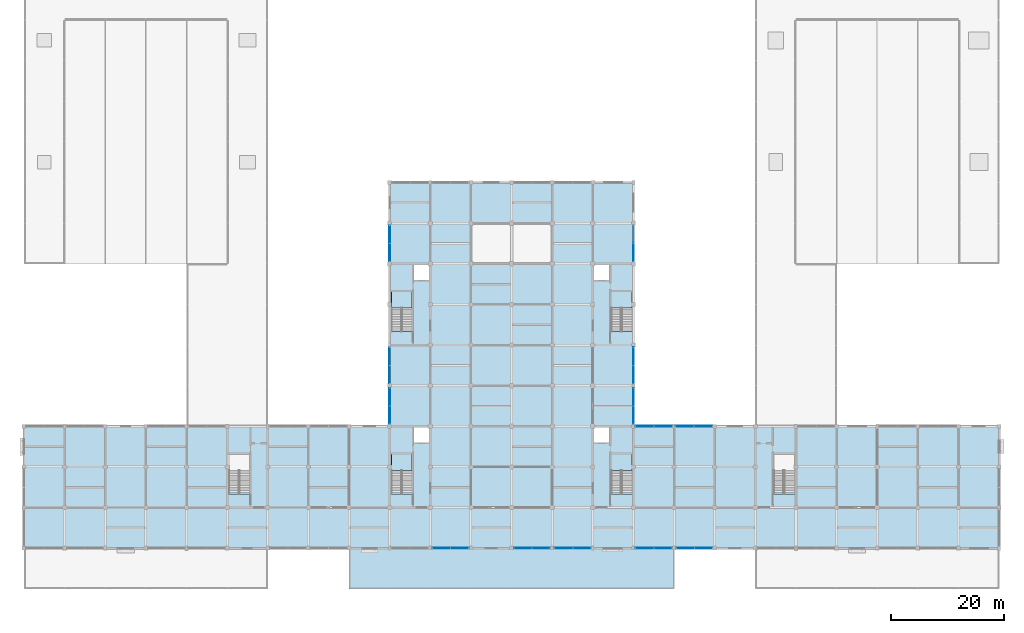
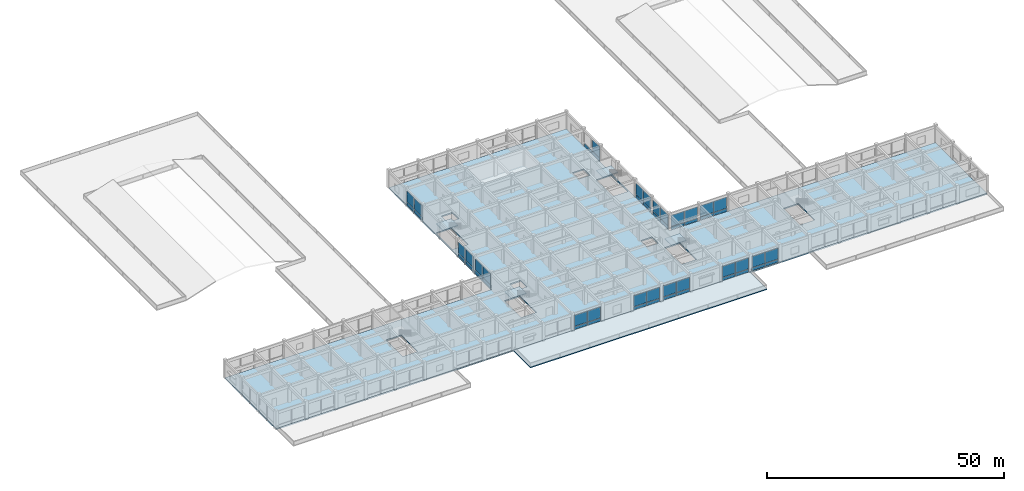
# One storey, part 15 of 30: 51 plates, 6 slabs, 17 elements without a shape of their own.
"""IFC4 building model written with IfcOpenShell, lengths in metres."""

import ifcopenshell
import ifcopenshell.guid

model = None  # the IFC model being written
_history = None  # IfcOwnerHistory: only IFC2X3 demands one
_inside = {}  # id of a spatial element -> (the spatial element, [elements in it])
_under = {}  # id of a project, library or spatial element -> (it, [spatial elements below it])
_declared = {}  # id of a project -> (the project, [libraries it declares])
_typed = {}  # id of a type object -> (the type object, [elements of that type])
_made_of = {}  # id of a material, layer set ... -> (it, [elements and type objects made of it])


def new_model(schema):
    """Start an empty IFC model of exactly this schema.

    Asked for "IFC4X3", IfcOpenShell would pick the latest addendum, in which some entities
    have other attributes; the version numbers below select the first issue.
    IFC2X3 requires an IfcOwnerHistory on every rooted entity: one is made here for all.
    """
    global model, _history
    if schema == "IFC4X3":
        model = ifcopenshell.file(schema_version=(4, 3, 0, 0))
    else:
        model = ifcopenshell.file(schema=schema)
    _inside.clear()
    _under.clear()
    _declared.clear()
    _typed.clear()
    _made_of.clear()
    _history = None
    if model.schema == "IFC2X3":
        org = make("IfcOrganization", Name="unknown")
        user = make(
            "IfcPersonAndOrganization",
            ThePerson=make("IfcPerson", FamilyName="unknown"),
            TheOrganization=org,
        )
        app = make(
            "IfcApplication",
            ApplicationDeveloper=org,
            Version="unknown",
            ApplicationFullName="unknown",
            ApplicationIdentifier="unknown",
        )
        _history = make(
            "IfcOwnerHistory",
            OwningUser=user,
            OwningApplication=app,
            ChangeAction="ADDED",
            CreationDate=0,
        )
    return model


def make(cls, **values):
    """One entity of the class cls with the attributes given. An attribute that is None is left unset."""
    return model.create_entity(
        cls, **{name: value for name, value in values.items() if value is not None}
    )


def rooted(cls, **values):
    """An entity with a GlobalId (a new one), such as an element, a storey or a relation."""
    return make(cls, GlobalId=ifcopenshell.guid.new(), OwnerHistory=_history, **values)


def si_unit(unit_type, name, prefix=None):
    """IfcSIUnit, for example si_unit("LENGTHUNIT", "METRE", prefix="MILLI")."""
    return make("IfcSIUnit", UnitType=unit_type, Prefix=prefix, Name=name)


def assignment(units):
    """IfcUnitAssignment: the units of a project."""
    return None if units is None else make("IfcUnitAssignment", Units=units)


def point(xyz):
    """IfcCartesianPoint."""
    return None if xyz is None else make("IfcCartesianPoint", Coordinates=xyz)


def direction(xyz):
    """IfcDirection."""
    return None if xyz is None else make("IfcDirection", DirectionRatios=xyz)


def frame(location, z_axis=None, x_axis=None):
    """IfcAxis2Placement3D, a coordinate frame: its origin and axes. An axis left out is left unset."""
    return make(
        "IfcAxis2Placement3D",
        Location=point(location),
        Axis=direction(z_axis),
        RefDirection=direction(x_axis),
    )


def frame_2d(location, x_axis=None):
    """IfcAxis2Placement2D, a coordinate frame in the plane: its origin and x axis."""
    return make(
        "IfcAxis2Placement2D", Location=point(location), RefDirection=direction(x_axis)
    )


def origin():
    """The frame at (0, 0, 0) with its axes left unset."""
    return frame((0.0, 0.0, 0.0))


def origin_2d():
    """The frame at (0, 0) in the plane with its x axis left unset."""
    return frame_2d((0.0, 0.0))


def place(relative_to, where):
    """IfcLocalPlacement: puts the frame where relative to a parent placement (None: the world)."""
    return make(
        "IfcLocalPlacement", PlacementRelTo=relative_to, RelativePlacement=where
    )


def context(
    kind, dimensions, precision=None, world=None, true_north=None, identifier=None
):
    """IfcGeometricRepresentationContext, for example the 3D "Model" context."""
    return make(
        "IfcGeometricRepresentationContext",
        ContextIdentifier=identifier,
        ContextType=kind,
        CoordinateSpaceDimension=dimensions,
        Precision=precision,
        WorldCoordinateSystem=world,
        TrueNorth=true_north,
    )


def subcontext(parent, identifier, kind, view, scale=None):
    """IfcGeometricRepresentationSubContext, for example "Body" below "Model"."""
    return make(
        "IfcGeometricRepresentationSubContext",
        ContextIdentifier=identifier,
        ContextType=kind,
        ParentContext=parent,
        TargetScale=scale,
        TargetView=view,
    )


def project(units=None, contexts=None):
    """IfcProject with its units and contexts."""
    return rooted(
        "IfcProject",
        Name="project",
        RepresentationContexts=contexts,
        UnitsInContext=assignment(units),
    )


def spatial(cls, under=None, at=None, **own):
    """A site, building, storey or space (cls), placed at a placement, below another one or the project."""
    s = rooted(cls, ObjectPlacement=at, **own)
    if under is not None:
        _under.setdefault(under.id(), (under, []))[1].append(s)
    return s


def polyline(points):
    """IfcPolyline through the points."""
    return make("IfcPolyline", Points=[point(p) for p in points])


def profile(cls, at=None, kind="AREA", **sizes):
    """A parametric profile (cls). Its sizes go by their IFC names, for example OverallWidth=200.0."""
    return make(cls, ProfileType=kind, Position=at, **sizes)


def rectangle(**sizes):
    """IfcRectangleProfileDef."""
    return profile("IfcRectangleProfileDef", **sizes)


def outline(outer, holes=None, kind="AREA"):
    """IfcArbitraryClosedProfileDef: a profile drawn as a closed curve; with holes, ...WithVoids."""
    if holes is None:
        return make("IfcArbitraryClosedProfileDef", ProfileType=kind, OuterCurve=outer)
    return make(
        "IfcArbitraryProfileDefWithVoids",
        ProfileType=kind,
        OuterCurve=outer,
        InnerCurves=holes,
    )


def extrude(swept, where, along, depth):
    """IfcExtrudedAreaSolid: the profile swept, set in the frame where, extruded along a direction by depth."""
    return make(
        "IfcExtrudedAreaSolid",
        SweptArea=swept,
        Position=where,
        ExtrudedDirection=direction(along),
        Depth=depth,
    )


def shape(context_of_items, identifier, shape_type, items):
    """IfcShapeRepresentation: the items that make up one representation, for example the "Body"."""
    return make(
        "IfcShapeRepresentation",
        ContextOfItems=context_of_items,
        RepresentationIdentifier=identifier,
        RepresentationType=shape_type,
        Items=items,
    )


def material(Name=None, Category=None):
    """IfcMaterial."""
    return make("IfcMaterial", Name=Name, Category=Category)


def layer(
    of_material, thickness, ventilated=None, Name=None, Category=None, Priority=None
):
    """IfcMaterialLayer: one layer of a wall or slab, of a material (None: an air gap)."""
    return make(
        "IfcMaterialLayer",
        Material=of_material,
        LayerThickness=thickness,
        IsVentilated=ventilated,
        Name=Name,
        Category=Category,
        Priority=Priority,
    )


def layer_set(layers, Name=None):
    """IfcMaterialLayerSet."""
    return make("IfcMaterialLayerSet", MaterialLayers=layers, LayerSetName=Name)


def made_of(thing, what):
    """Note that an element or type object is made of a material, layer set ...; save() writes the relation."""
    if what is not None:
        _made_of.setdefault(what.id(), (what, []))[1].append(thing)
    return thing


def type_object(cls, material=None, **own):
    """A type object (cls), such as IfcWallType, which elements share."""
    return made_of(rooted(cls, **own), material)


def element(
    cls,
    number,
    at=None,
    inside=None,
    cuts=None,
    type_object=None,
    material=None,
    context=None,
    identifier="Body",
    shape_type=None,
    held_by="IfcProductDefinitionShape",
    body=None,
    shapes=None,
    **own,
):
    """One element of the class cls, such as IfcWall. Its Tag is "e" and its number.

    at: its placement. inside: the storey or other place that contains it. cuts: it is an
    opening in that element (IfcRelVoidsElement). A single representation is given by context,
    identifier, shape_type and body (its items); several are given by shapes. held_by: the class
    of the entity that holds the representations. save() writes the other relations.
    """
    e = rooted(cls, Tag="e%d" % number, ObjectPlacement=at, **own)
    if body is not None:
        shapes = [shape(context, identifier, shape_type, body)]
    if shapes is not None:
        e.Representation = make(held_by, Representations=shapes)
    if inside is not None:
        _inside.setdefault(inside.id(), (inside, []))[1].append(e)
    if cuts is not None:
        rooted(
            "IfcRelVoidsElement", RelatingBuildingElement=cuts, RelatedOpeningElement=e
        )
    if type_object is not None:
        _typed.setdefault(type_object.id(), (type_object, []))[1].append(e)
    return made_of(e, material)


def aggregate(whole, parts):
    """IfcRelAggregates: a whole, such as a stair, and the parts it consists of."""
    return rooted("IfcRelAggregates", RelatingObject=whole, RelatedObjects=parts)


def save(model, path):
    """Write the relations noted so far, then the file.

    IfcRelAggregates (storeys below a building ...), IfcRelContainedInSpatialStructure (elements
    in a storey), IfcRelDefinesByType, IfcRelAssociatesMaterial and IfcRelDeclares: one each for
    every whole, place, type object, material and project.
    """
    for whole, parts in _under.values():
        aggregate(whole, parts)
    for where, things in _inside.values():
        rooted(
            "IfcRelContainedInSpatialStructure",
            RelatedElements=things,
            RelatingStructure=where,
        )
    for kind, things in _typed.values():
        rooted("IfcRelDefinesByType", RelatedObjects=things, RelatingType=kind)
    for what, things in _made_of.values():
        rooted("IfcRelAssociatesMaterial", RelatedObjects=things, RelatingMaterial=what)
    for by, libraries in _declared.values():
        rooted("IfcRelDeclares", RelatingContext=by, RelatedDefinitions=libraries)
    model.write(path)


model = new_model("IFC4")

# Units and contexts
model_context = context("Model", 3, precision=1e-05, world=origin(), true_north=direction((0.0, 1.0)))
body_context = subcontext(model_context, "Body", "Model", "MODEL_VIEW")
ifc_project = project(units=[si_unit("LENGTHUNIT", "METRE"), si_unit("AREAUNIT", "SQUARE_METRE"), si_unit("VOLUMEUNIT", "CUBIC_METRE"), si_unit("PLANEANGLEUNIT", "RADIAN"), si_unit("MASSUNIT", "GRAM", prefix="KILO")], contexts=[model_context])

# Site, building, storey
site_placement = place(None, origin())
site = spatial("IfcSite", under=ifc_project, at=site_placement, CompositionType="ELEMENT")
building_placement = place(site_placement, origin())
building = spatial("IfcBuilding", under=site, at=building_placement, Name="Cendaluz Park School", CompositionType="ELEMENT")
storey_placement = place(building_placement, frame((0.0, 0.0, 9.60009765625)))
storey = spatial("IfcBuildingStorey", under=building, at=storey_placement, Name="L02", CompositionType="ELEMENT", Elevation=9.60009765625)

# Curtain wall, plates
ifc_material_1 = material(Name="Anodised Aluminium 6063-T6", Category="aluminium")
ifc_layer_1 = layer(ifc_material_1, 0.179931640625)
ifc_layer_set_1 = layer_set([ifc_layer_1], Name="Anodised Aluminium 6063-T6")
curtain_wall_type_1 = type_object("IfcCurtainWallType", Name="CW-130x78", PredefinedType="NOTDEFINED", material=ifc_layer_set_1)
curtain_wall_1_placement = place(storey_placement, origin())
curtain_wall_1 = element("IfcCurtainWall", 1, at=curtain_wall_1_placement, inside=storey, type_object=curtain_wall_type_1, Name="CW-L02-105", PredefinedType="NOTDEFINED")
ifc_material_2 = material(Name="Tempered Low-E Double Glazing", Category="glass")
ifc_layer_2 = layer(ifc_material_2, 0.028076171875)
ifc_layer_set_2 = layer_set([ifc_layer_2], Name="Tempered Low-E Double Glazing")
plate_type_1 = type_object("IfcPlateType", Name="CWP-G01", PredefinedType="CURTAIN_PANEL", material=ifc_layer_set_2)
plate_1_placement = place(storey_placement, frame((64.800048828125, 30.794921875, 0.93994140625), z_axis=(0.0, 0.0, 1.0), x_axis=(0.0, 1.0, 0.0)))
plate_1 = element("IfcPlate", 2, at=plate_1_placement, type_object=plate_type_1, Name="CP-L02-1360", PredefinedType="CURTAIN_PANEL", context=body_context, shape_type="SweptSolid", body=[
    extrude(rectangle(XDim=3.1298828125, YDim=0.028076171875, at=origin_2d()), origin(), (0.0, 0.0, 1.0), 2.860107421875),
])
plate_2_placement = place(storey_placement, frame((64.800048828125, 34.0048828125, 0.93994140625), z_axis=(0.0, 0.0, 1.0), x_axis=(0.0, 1.0, 0.0)))
plate_2 = element("IfcPlate", 3, at=plate_2_placement, type_object=plate_type_1, Name="CP-L02-1365", PredefinedType="CURTAIN_PANEL", context=body_context, shape_type="SweptSolid", body=[
    extrude(rectangle(XDim=3.1298828125, YDim=0.028076171875, at=origin_2d()), origin(), (0.0, 0.0, 1.0), 2.860107421875),
])

curtain_wall_2_placement = place(storey_placement, origin())
curtain_wall_2 = element("IfcCurtainWall", 4, at=curtain_wall_2_placement, inside=storey, type_object=curtain_wall_type_1, Name="CW-L02-106", PredefinedType="NOTDEFINED")
plate_3_placement = place(storey_placement, frame((64.800048828125, 37.98876953125, 0.93994140625), z_axis=(0.0, 0.0, 1.0), x_axis=(0.0, 1.0, 0.0)))
plate_3 = element("IfcPlate", 5, at=plate_3_placement, type_object=plate_type_1, Name="CP-L02-1373", PredefinedType="CURTAIN_PANEL", context=body_context, shape_type="SweptSolid", body=[
    extrude(rectangle(XDim=3.117431640625, YDim=0.028076171875, at=origin_2d()), origin(), (0.0, 0.0, 1.0), 2.860107421875),
])
plate_4_placement = place(storey_placement, frame((64.800048828125, 41.186279296875, 0.93994140625), z_axis=(0.0, 0.0, 1.0), x_axis=(0.0, 1.0, 0.0)))
plate_4 = element("IfcPlate", 6, at=plate_4_placement, type_object=plate_type_1, Name="CP-L02-1378", PredefinedType="CURTAIN_PANEL", context=body_context, shape_type="SweptSolid", body=[
    extrude(rectangle(XDim=3.117431640625, YDim=0.028076171875, at=origin_2d()), origin(), (0.0, 0.0, 1.0), 2.860107421875),
])

curtain_wall_3_placement = place(storey_placement, origin())
curtain_wall_3 = element("IfcCurtainWall", 7, at=curtain_wall_3_placement, inside=storey, type_object=curtain_wall_type_1, Name="CW-L02-107", PredefinedType="NOTDEFINED")
plate_5_placement = place(storey_placement, frame((64.800048828125, 59.594970703125, 0.93994140625), z_axis=(0.0, 0.0, 1.0), x_axis=(0.0, 1.0, 0.0)))
plate_5 = element("IfcPlate", 8, at=plate_5_placement, type_object=plate_type_1, Name="CP-L02-1386", PredefinedType="CURTAIN_PANEL", context=body_context, shape_type="SweptSolid", body=[
    extrude(rectangle(XDim=3.1298828125, YDim=0.028076171875, at=origin_2d()), origin(), (0.0, 0.0, 1.0), 2.860107421875),
])
plate_6_placement = place(storey_placement, frame((64.800048828125, 62.804931640625, 0.93994140625), z_axis=(0.0, 0.0, 1.0), x_axis=(0.0, 1.0, 0.0)))
plate_6 = element("IfcPlate", 9, at=plate_6_placement, type_object=plate_type_1, Name="CP-L02-1391", PredefinedType="CURTAIN_PANEL", context=body_context, shape_type="SweptSolid", body=[
    extrude(rectangle(XDim=3.1298828125, YDim=0.028076171875, at=origin_2d()), origin(), (0.0, 0.0, 1.0), 2.860107421875),
])

ifc_layer_3 = layer(ifc_material_1, 0.179931640625)
ifc_layer_set_3 = layer_set([ifc_layer_3], Name="Anodised Aluminium 6063-T6")
curtain_wall_type_2 = type_object("IfcCurtainWallType", Name="CW-132x78", PredefinedType="NOTDEFINED", material=ifc_layer_set_3)
curtain_wall_4_placement = place(storey_placement, origin())
curtain_wall_4 = element("IfcCurtainWall", 10, at=curtain_wall_4_placement, inside=storey, type_object=curtain_wall_type_2, Name="CW-L02-113", PredefinedType="NOTDEFINED")
plate_7_placement = place(storey_placement, frame((95.6201171875, 7.199951171875, 0.93994140625), z_axis=(0.0, 0.0, 1.0), x_axis=(1.0, 0.0, 0.0)))
plate_7 = element("IfcPlate", 11, at=plate_7_placement, type_object=plate_type_1, Name="CP-L02-1464", PredefinedType="CURTAIN_PANEL", context=body_context, shape_type="SweptSolid", body=[
    extrude(rectangle(XDim=3.179931640625, YDim=0.028076171875, at=origin_2d()), origin(), (0.0, 0.0, 1.0), 2.860107421875),
])
plate_8_placement = place(storey_placement, frame((98.8798828125, 7.199951171875, 0.93994140625), z_axis=(0.0, 0.0, 1.0), x_axis=(1.0, 0.0, 0.0)))
plate_8 = element("IfcPlate", 12, at=plate_8_placement, type_object=plate_type_1, Name="CP-L02-1469", PredefinedType="CURTAIN_PANEL", context=body_context, shape_type="SweptSolid", body=[
    extrude(rectangle(XDim=3.179931640625, YDim=0.028076171875, at=origin_2d()), origin(), (0.0, 0.0, 1.0), 2.860107421875),
])

curtain_wall_5_placement = place(storey_placement, origin())
curtain_wall_5 = element("IfcCurtainWall", 13, at=curtain_wall_5_placement, inside=storey, type_object=curtain_wall_type_1, Name="CW-L02-109", PredefinedType="NOTDEFINED")
ifc_layer_4 = layer(ifc_material_2, 0.0380859375)
ifc_layer_set_4 = layer_set([ifc_layer_4], Name="Tempered Low-E Double Glazing")
plate_type_2 = type_object("IfcPlateType", Name="CWP-G02", PredefinedType="CURTAIN_PANEL", material=ifc_layer_set_4)
plate_9_placement = place(storey_placement, frame((73.9951171875, 7.199951171875, 0.93994140625), z_axis=(0.0, 0.0, 1.0), x_axis=(1.0, 0.0, 0.0)))
plate_9 = element("IfcPlate", 14, at=plate_9_placement, type_object=plate_type_2, Name="CP-L02-1412", PredefinedType="CURTAIN_PANEL", context=body_context, shape_type="SweptSolid", body=[
    extrude(rectangle(XDim=3.1298828125, YDim=0.0380859375, at=origin_2d()), origin(), (0.0, 0.0, 1.0), 2.860107421875),
])
plate_10_placement = place(storey_placement, frame((77.205078125, 7.199951171875, 0.93994140625), z_axis=(0.0, 0.0, 1.0), x_axis=(1.0, 0.0, 0.0)))
plate_10 = element("IfcPlate", 15, at=plate_10_placement, type_object=plate_type_2, Name="CP-L02-1417", PredefinedType="CURTAIN_PANEL", context=body_context, shape_type="SweptSolid", body=[
    extrude(rectangle(XDim=3.1298828125, YDim=0.0380859375, at=origin_2d()), origin(), (0.0, 0.0, 1.0), 2.860107421875),
])

curtain_wall_6_placement = place(storey_placement, origin())
curtain_wall_6 = element("IfcCurtainWall", 16, at=curtain_wall_6_placement, inside=storey, type_object=curtain_wall_type_1, Name="CW-L02-115", PredefinedType="NOTDEFINED")
ifc_layer_5 = layer(ifc_material_2, 0.048095703125)
ifc_layer_set_5 = layer_set([ifc_layer_5], Name="Tempered Low-E Double Glazing")
plate_type_3 = type_object("IfcPlateType", Name="CWP-G03", PredefinedType="CURTAIN_PANEL", material=ifc_layer_set_5)
plate_11_placement = place(storey_placement, frame((108.0, 30.788818359375, 0.93994140625), z_axis=(0.0, 0.0, 1.0), x_axis=(0.0, 1.0, 0.0)))
plate_11 = element("IfcPlate", 17, at=plate_11_placement, type_object=plate_type_3, Name="CP-L02-1490", PredefinedType="CURTAIN_PANEL", context=body_context, shape_type="SweptSolid", body=[
    extrude(rectangle(XDim=3.117431640625, YDim=0.048095703125, at=origin_2d()), origin(), (0.0, 0.0, 1.0), 2.860107421875),
])
plate_12_placement = place(storey_placement, frame((108.0, 33.986328125, 0.93994140625), z_axis=(0.0, 0.0, 1.0), x_axis=(0.0, 1.0, 0.0)))
plate_12 = element("IfcPlate", 18, at=plate_12_placement, type_object=plate_type_3, Name="CP-L02-1495", PredefinedType="CURTAIN_PANEL", context=body_context, shape_type="SweptSolid", body=[
    extrude(rectangle(XDim=3.117431640625, YDim=0.048095703125, at=origin_2d()), origin(), (0.0, 0.0, 1.0), 2.860107421875),
])

curtain_wall_7_placement = place(storey_placement, origin())
curtain_wall_7 = element("IfcCurtainWall", 19, at=curtain_wall_7_placement, inside=storey, type_object=curtain_wall_type_1, Name="CW-L02-116", PredefinedType="NOTDEFINED")
plate_13_placement = place(storey_placement, frame((108.0, 38.013671875, 0.93994140625), z_axis=(0.0, 0.0, 1.0), x_axis=(0.0, 1.0, 0.0)))
plate_13 = element("IfcPlate", 20, at=plate_13_placement, type_object=plate_type_3, Name="CP-L02-1503", PredefinedType="CURTAIN_PANEL", context=body_context, shape_type="SweptSolid", body=[
    extrude(rectangle(XDim=3.117431640625, YDim=0.048095703125, at=origin_2d()), origin(), (0.0, 0.0, 1.0), 2.860107421875),
])
plate_14_placement = place(storey_placement, frame((108.0, 41.211181640625, 0.93994140625), z_axis=(0.0, 0.0, 1.0), x_axis=(0.0, 1.0, 0.0)))
plate_14 = element("IfcPlate", 21, at=plate_14_placement, type_object=plate_type_3, Name="CP-L02-1508", PredefinedType="CURTAIN_PANEL", context=body_context, shape_type="SweptSolid", body=[
    extrude(rectangle(XDim=3.117431640625, YDim=0.048095703125, at=origin_2d()), origin(), (0.0, 0.0, 1.0), 2.860107421875),
])

# Curtain wall, plate
curtain_wall_8_placement = place(storey_placement, origin())
curtain_wall_8 = element("IfcCurtainWall", 22, at=curtain_wall_8_placement, inside=storey, type_object=curtain_wall_type_1, Name="CW-L02-117", PredefinedType="NOTDEFINED")
plate_15_placement = place(storey_placement, frame((108.0, 59.594970703125, 0.93994140625), z_axis=(0.0, 0.0, 1.0), x_axis=(0.0, 1.0, 0.0)))
plate_15 = element("IfcPlate", 23, at=plate_15_placement, type_object=plate_type_3, Name="CP-L02-1516", PredefinedType="CURTAIN_PANEL", context=body_context, shape_type="SweptSolid", body=[
    extrude(rectangle(XDim=3.1298828125, YDim=0.048095703125, at=origin_2d()), origin(), (0.0, 0.0, 1.0), 2.860107421875),
])

# Curtain wall, plates
curtain_wall_9_placement = place(storey_placement, origin())
curtain_wall_9 = element("IfcCurtainWall", 24, at=curtain_wall_9_placement, inside=storey, type_object=curtain_wall_type_1, Name="CW-L02-118", PredefinedType="NOTDEFINED")
plate_16_placement = place(storey_placement, frame((109.9951171875, 7.199951171875, 0.93994140625), z_axis=(0.0, 0.0, 1.0), x_axis=(1.0, 0.0, 0.0)))
plate_16 = element("IfcPlate", 25, at=plate_16_placement, type_object=plate_type_3, Name="CP-L02-1529", PredefinedType="CURTAIN_PANEL", context=body_context, shape_type="SweptSolid", body=[
    extrude(rectangle(XDim=3.1298828125, YDim=0.048095703125, at=origin_2d()), origin(), (0.0, 0.0, 1.0), 2.860107421875),
])
plate_17_placement = place(storey_placement, frame((113.205078125, 7.199951171875, 0.93994140625), z_axis=(0.0, 0.0, 1.0), x_axis=(1.0, 0.0, 0.0)))
plate_17 = element("IfcPlate", 26, at=plate_17_placement, type_object=plate_type_3, Name="CP-L02-1534", PredefinedType="CURTAIN_PANEL", context=body_context, shape_type="SweptSolid", body=[
    extrude(rectangle(XDim=3.1298828125, YDim=0.048095703125, at=origin_2d()), origin(), (0.0, 0.0, 1.0), 2.860107421875),
])

curtain_wall_10_placement = place(storey_placement, origin())
curtain_wall_10 = element("IfcCurtainWall", 27, at=curtain_wall_10_placement, inside=storey, type_object=curtain_wall_type_2, Name="CW-L02-119", PredefinedType="NOTDEFINED")
plate_18_placement = place(storey_placement, frame((110.02001953125, 28.800048828125, 0.93994140625), z_axis=(0.0, 0.0, 1.0), x_axis=(1.0, 0.0, 0.0)))
plate_18 = element("IfcPlate", 28, at=plate_18_placement, type_object=plate_type_3, Name="CP-L02-1542", PredefinedType="CURTAIN_PANEL", context=body_context, shape_type="SweptSolid", body=[
    extrude(rectangle(XDim=3.179931640625, YDim=0.048095703125, at=origin_2d()), origin(), (0.0, 0.0, 1.0), 2.860107421875),
])
plate_19_placement = place(storey_placement, frame((113.280029296875, 28.800048828125, 0.93994140625), z_axis=(0.0, 0.0, 1.0), x_axis=(1.0, 0.0, 0.0)))
plate_19 = element("IfcPlate", 29, at=plate_19_placement, type_object=plate_type_3, Name="CP-L02-1547", PredefinedType="CURTAIN_PANEL", context=body_context, shape_type="SweptSolid", body=[
    extrude(rectangle(XDim=3.179931640625, YDim=0.048095703125, at=origin_2d()), origin(), (0.0, 0.0, 1.0), 2.860107421875),
])

curtain_wall_11_placement = place(storey_placement, origin())
curtain_wall_11 = element("IfcCurtainWall", 30, at=curtain_wall_11_placement, inside=storey, type_object=curtain_wall_type_1, Name="CW-L02-111", PredefinedType="NOTDEFINED")
ifc_layer_6 = layer(ifc_material_2, 0.05810546875)
ifc_layer_set_6 = layer_set([ifc_layer_6], Name="Tempered Low-E Double Glazing")
plate_type_4 = type_object("IfcPlateType", Name="CWP-G04", PredefinedType="CURTAIN_PANEL", material=ifc_layer_set_6)
plate_20_placement = place(storey_placement, frame((88.39501953125, 7.199951171875, 0.93994140625), z_axis=(0.0, 0.0, 1.0), x_axis=(1.0, 0.0, 0.0)))
plate_20 = element("IfcPlate", 31, at=plate_20_placement, type_object=plate_type_4, Name="CP-L02-1438", PredefinedType="CURTAIN_PANEL", context=body_context, shape_type="SweptSolid", body=[
    extrude(rectangle(XDim=3.1298828125, YDim=0.05810546875, at=origin_2d()), origin(), (0.0, 0.0, 1.0), 2.860107421875),
])
plate_21_placement = place(storey_placement, frame((91.60498046875, 7.199951171875, 0.93994140625), z_axis=(0.0, 0.0, 1.0), x_axis=(1.0, 0.0, 0.0)))
plate_21 = element("IfcPlate", 32, at=plate_21_placement, type_object=plate_type_4, Name="CP-L02-1443", PredefinedType="CURTAIN_PANEL", context=body_context, shape_type="SweptSolid", body=[
    extrude(rectangle(XDim=3.1298828125, YDim=0.05810546875, at=origin_2d()), origin(), (0.0, 0.0, 1.0), 2.860107421875),
])

curtain_wall_12_placement = place(storey_placement, origin())
curtain_wall_12 = element("IfcCurtainWall", 33, at=curtain_wall_12_placement, inside=storey, type_object=curtain_wall_type_1, Name="CW-L02-120", PredefinedType="NOTDEFINED")
plate_22_placement = place(storey_placement, frame((117.195068359375, 7.199951171875, 0.93994140625), z_axis=(0.0, 0.0, 1.0), x_axis=(1.0, 0.0, 0.0)))
plate_22 = element("IfcPlate", 34, at=plate_22_placement, type_object=plate_type_4, Name="CP-L02-1555", PredefinedType="CURTAIN_PANEL", context=body_context, shape_type="SweptSolid", body=[
    extrude(rectangle(XDim=3.1298828125, YDim=0.05810546875, at=origin_2d()), origin(), (0.0, 0.0, 1.0), 2.860107421875),
])
plate_23_placement = place(storey_placement, frame((120.405029296875, 7.199951171875, 0.93994140625), z_axis=(0.0, 0.0, 1.0), x_axis=(1.0, 0.0, 0.0)))
plate_23 = element("IfcPlate", 35, at=plate_23_placement, type_object=plate_type_4, Name="CP-L02-1560", PredefinedType="CURTAIN_PANEL", context=body_context, shape_type="SweptSolid", body=[
    extrude(rectangle(XDim=3.1298828125, YDim=0.05810546875, at=origin_2d()), origin(), (0.0, 0.0, 1.0), 2.860107421875),
])

curtain_wall_13_placement = place(storey_placement, origin())
curtain_wall_13 = element("IfcCurtainWall", 36, at=curtain_wall_13_placement, inside=storey, type_object=curtain_wall_type_2, Name="CW-L02-121", PredefinedType="NOTDEFINED")
plate_24_placement = place(storey_placement, frame((117.1201171875, 28.800048828125, 0.93994140625), z_axis=(0.0, 0.0, 1.0), x_axis=(1.0, 0.0, 0.0)))
plate_24 = element("IfcPlate", 37, at=plate_24_placement, type_object=plate_type_4, Name="CP-L02-1568", PredefinedType="CURTAIN_PANEL", context=body_context, shape_type="SweptSolid", body=[
    extrude(rectangle(XDim=3.179931640625, YDim=0.05810546875, at=origin_2d()), origin(), (0.0, 0.0, 1.0), 2.860107421875),
])
plate_25_placement = place(storey_placement, frame((120.3798828125, 28.800048828125, 0.93994140625), z_axis=(0.0, 0.0, 1.0), x_axis=(1.0, 0.0, 0.0)))
plate_25 = element("IfcPlate", 38, at=plate_25_placement, type_object=plate_type_4, Name="CP-L02-1573", PredefinedType="CURTAIN_PANEL", context=body_context, shape_type="SweptSolid", body=[
    extrude(rectangle(XDim=3.179931640625, YDim=0.05810546875, at=origin_2d()), origin(), (0.0, 0.0, 1.0), 2.860107421875),
])

# Plate
ifc_layer_7 = layer(ifc_material_1, 0.080078125)
ifc_layer_set_7 = layer_set([ifc_layer_7], Name="Anodised Aluminium 6063-T6")
plate_type_5 = type_object("IfcPlateType", Name="CWP-S01", PredefinedType="CURTAIN_PANEL", material=ifc_layer_set_7)
plate_26_placement = place(storey_placement, frame((64.800048828125, 37.98876953125, 0.080078125), z_axis=(0.0, 0.0, 1.0), x_axis=(0.0, 1.0, 0.0)))
plate_26 = element("IfcPlate", 39, at=plate_26_placement, type_object=plate_type_5, Name="CP-L02-1372", PredefinedType="CURTAIN_PANEL", context=body_context, shape_type="SweptSolid", body=[
    extrude(rectangle(XDim=3.117431640625, YDim=0.080078125, at=origin_2d()), origin(), (0.0, 0.0, 1.0), 0.780029296875),
])

plate_27_placement = place(storey_placement, frame((64.800048828125, 41.186279296875, 0.080078125), z_axis=(0.0, 0.0, 1.0), x_axis=(0.0, 1.0, 0.0)))
plate_27 = element("IfcPlate", 40, at=plate_27_placement, type_object=plate_type_5, Name="CP-L02-1377", PredefinedType="CURTAIN_PANEL", context=body_context, shape_type="SweptSolid", body=[
    extrude(rectangle(XDim=3.117431640625, YDim=0.080078125, at=origin_2d()), origin(), (0.0, 0.0, 1.0), 0.780029296875),
])

aggregate(curtain_wall_2, [plate_26, plate_3, plate_27, plate_4])

plate_28_placement = place(storey_placement, frame((73.9951171875, 7.199951171875, 0.080078125), z_axis=(0.0, 0.0, 1.0), x_axis=(1.0, 0.0, 0.0)))
plate_28 = element("IfcPlate", 41, at=plate_28_placement, type_object=plate_type_5, Name="CP-L02-1411", PredefinedType="CURTAIN_PANEL", context=body_context, shape_type="SweptSolid", body=[
    extrude(rectangle(XDim=3.1298828125, YDim=0.080078125, at=origin_2d()), origin(), (0.0, 0.0, 1.0), 0.780029296875),
])

plate_29_placement = place(storey_placement, frame((77.205078125, 7.199951171875, 0.080078125), z_axis=(0.0, 0.0, 1.0), x_axis=(1.0, 0.0, 0.0)))
plate_29 = element("IfcPlate", 42, at=plate_29_placement, type_object=plate_type_5, Name="CP-L02-1416", PredefinedType="CURTAIN_PANEL", context=body_context, shape_type="SweptSolid", body=[
    extrude(rectangle(XDim=3.1298828125, YDim=0.080078125, at=origin_2d()), origin(), (0.0, 0.0, 1.0), 0.780029296875),
])

aggregate(curtain_wall_5, [plate_28, plate_9, plate_29, plate_10])

plate_30_placement = place(storey_placement, frame((88.39501953125, 7.199951171875, 0.080078125), z_axis=(0.0, 0.0, 1.0), x_axis=(1.0, 0.0, 0.0)))
plate_30 = element("IfcPlate", 43, at=plate_30_placement, type_object=plate_type_5, Name="CP-L02-1437", PredefinedType="CURTAIN_PANEL", context=body_context, shape_type="SweptSolid", body=[
    extrude(rectangle(XDim=3.1298828125, YDim=0.080078125, at=origin_2d()), origin(), (0.0, 0.0, 1.0), 0.780029296875),
])

plate_31_placement = place(storey_placement, frame((91.60498046875, 7.199951171875, 0.080078125), z_axis=(0.0, 0.0, 1.0), x_axis=(1.0, 0.0, 0.0)))
plate_31 = element("IfcPlate", 44, at=plate_31_placement, type_object=plate_type_5, Name="CP-L02-1442", PredefinedType="CURTAIN_PANEL", context=body_context, shape_type="SweptSolid", body=[
    extrude(rectangle(XDim=3.1298828125, YDim=0.080078125, at=origin_2d()), origin(), (0.0, 0.0, 1.0), 0.780029296875),
])

aggregate(curtain_wall_11, [plate_30, plate_20, plate_31, plate_21])

plate_32_placement = place(storey_placement, frame((95.6201171875, 7.199951171875, 0.080078125), z_axis=(0.0, 0.0, 1.0), x_axis=(1.0, 0.0, 0.0)))
plate_32 = element("IfcPlate", 45, at=plate_32_placement, type_object=plate_type_5, Name="CP-L02-1463", PredefinedType="CURTAIN_PANEL", context=body_context, shape_type="SweptSolid", body=[
    extrude(rectangle(XDim=3.179931640625, YDim=0.080078125, at=origin_2d()), origin(), (0.0, 0.0, 1.0), 0.780029296875),
])

plate_33_placement = place(storey_placement, frame((98.8798828125, 7.199951171875, 0.080078125), z_axis=(0.0, 0.0, 1.0), x_axis=(1.0, 0.0, 0.0)))
plate_33 = element("IfcPlate", 46, at=plate_33_placement, type_object=plate_type_5, Name="CP-L02-1468", PredefinedType="CURTAIN_PANEL", context=body_context, shape_type="SweptSolid", body=[
    extrude(rectangle(XDim=3.179931640625, YDim=0.080078125, at=origin_2d()), origin(), (0.0, 0.0, 1.0), 0.780029296875),
])

aggregate(curtain_wall_4, [plate_32, plate_7, plate_33, plate_8])

plate_34_placement = place(storey_placement, frame((108.0, 38.013671875, 0.080078125), z_axis=(0.0, 0.0, 1.0), x_axis=(0.0, 1.0, 0.0)))
plate_34 = element("IfcPlate", 47, at=plate_34_placement, type_object=plate_type_5, Name="CP-L02-1502", PredefinedType="CURTAIN_PANEL", context=body_context, shape_type="SweptSolid", body=[
    extrude(rectangle(XDim=3.117431640625, YDim=0.080078125, at=origin_2d()), origin(), (0.0, 0.0, 1.0), 0.780029296875),
])

plate_35_placement = place(storey_placement, frame((108.0, 41.211181640625, 0.080078125), z_axis=(0.0, 0.0, 1.0), x_axis=(0.0, 1.0, 0.0)))
plate_35 = element("IfcPlate", 48, at=plate_35_placement, type_object=plate_type_5, Name="CP-L02-1507", PredefinedType="CURTAIN_PANEL", context=body_context, shape_type="SweptSolid", body=[
    extrude(rectangle(XDim=3.117431640625, YDim=0.080078125, at=origin_2d()), origin(), (0.0, 0.0, 1.0), 0.780029296875),
])

aggregate(curtain_wall_7, [plate_34, plate_13, plate_35, plate_14])

plate_36_placement = place(storey_placement, frame((109.9951171875, 7.199951171875, 0.080078125), z_axis=(0.0, 0.0, 1.0), x_axis=(1.0, 0.0, 0.0)))
plate_36 = element("IfcPlate", 49, at=plate_36_placement, type_object=plate_type_5, Name="CP-L02-1528", PredefinedType="CURTAIN_PANEL", context=body_context, shape_type="SweptSolid", body=[
    extrude(rectangle(XDim=3.1298828125, YDim=0.080078125, at=origin_2d()), origin(), (0.0, 0.0, 1.0), 0.780029296875),
])

plate_37_placement = place(storey_placement, frame((113.205078125, 7.199951171875, 0.080078125), z_axis=(0.0, 0.0, 1.0), x_axis=(1.0, 0.0, 0.0)))
plate_37 = element("IfcPlate", 50, at=plate_37_placement, type_object=plate_type_5, Name="CP-L02-1533", PredefinedType="CURTAIN_PANEL", context=body_context, shape_type="SweptSolid", body=[
    extrude(rectangle(XDim=3.1298828125, YDim=0.080078125, at=origin_2d()), origin(), (0.0, 0.0, 1.0), 0.780029296875),
])

aggregate(curtain_wall_9, [plate_36, plate_16, plate_37, plate_17])

plate_38_placement = place(storey_placement, frame((117.195068359375, 7.199951171875, 0.080078125), z_axis=(0.0, 0.0, 1.0), x_axis=(1.0, 0.0, 0.0)))
plate_38 = element("IfcPlate", 51, at=plate_38_placement, type_object=plate_type_5, Name="CP-L02-1554", PredefinedType="CURTAIN_PANEL", context=body_context, shape_type="SweptSolid", body=[
    extrude(rectangle(XDim=3.1298828125, YDim=0.080078125, at=origin_2d()), origin(), (0.0, 0.0, 1.0), 0.780029296875),
])

plate_39_placement = place(storey_placement, frame((120.405029296875, 7.199951171875, 0.080078125), z_axis=(0.0, 0.0, 1.0), x_axis=(1.0, 0.0, 0.0)))
plate_39 = element("IfcPlate", 52, at=plate_39_placement, type_object=plate_type_5, Name="CP-L02-1559", PredefinedType="CURTAIN_PANEL", context=body_context, shape_type="SweptSolid", body=[
    extrude(rectangle(XDim=3.1298828125, YDim=0.080078125, at=origin_2d()), origin(), (0.0, 0.0, 1.0), 0.780029296875),
])

aggregate(curtain_wall_12, [plate_38, plate_22, plate_39, plate_23])

ifc_layer_8 = layer(ifc_material_1, 0.125)
ifc_layer_set_8 = layer_set([ifc_layer_8], Name="Anodised Aluminium 6063-T6")
plate_type_6 = type_object("IfcPlateType", Name="CWP-S04", PredefinedType="CURTAIN_PANEL", material=ifc_layer_set_8)
plate_40_placement = place(storey_placement, frame((64.800048828125, 30.794921875, 0.080078125), z_axis=(0.0, 0.0, 1.0), x_axis=(0.0, 1.0, 0.0)))
plate_40 = element("IfcPlate", 53, at=plate_40_placement, type_object=plate_type_6, Name="CP-L02-1359", PredefinedType="CURTAIN_PANEL", context=body_context, shape_type="SweptSolid", body=[
    extrude(rectangle(XDim=3.1298828125, YDim=0.125, at=origin_2d()), origin(), (0.0, 0.0, 1.0), 0.780029296875),
])

plate_41_placement = place(storey_placement, frame((64.800048828125, 34.0048828125, 0.080078125), z_axis=(0.0, 0.0, 1.0), x_axis=(0.0, 1.0, 0.0)))
plate_41 = element("IfcPlate", 54, at=plate_41_placement, type_object=plate_type_6, Name="CP-L02-1364", PredefinedType="CURTAIN_PANEL", context=body_context, shape_type="SweptSolid", body=[
    extrude(rectangle(XDim=3.1298828125, YDim=0.125, at=origin_2d()), origin(), (0.0, 0.0, 1.0), 0.780029296875),
])

aggregate(curtain_wall_1, [plate_40, plate_1, plate_41, plate_2])

plate_42_placement = place(storey_placement, frame((64.800048828125, 59.594970703125, 0.080078125), z_axis=(0.0, 0.0, 1.0), x_axis=(0.0, 1.0, 0.0)))
plate_42 = element("IfcPlate", 55, at=plate_42_placement, type_object=plate_type_6, Name="CP-L02-1385", PredefinedType="CURTAIN_PANEL", context=body_context, shape_type="SweptSolid", body=[
    extrude(rectangle(XDim=3.1298828125, YDim=0.125, at=origin_2d()), origin(), (0.0, 0.0, 1.0), 0.780029296875),
])

plate_43_placement = place(storey_placement, frame((64.800048828125, 62.804931640625, 0.080078125), z_axis=(0.0, 0.0, 1.0), x_axis=(0.0, 1.0, 0.0)))
plate_43 = element("IfcPlate", 56, at=plate_43_placement, type_object=plate_type_6, Name="CP-L02-1390", PredefinedType="CURTAIN_PANEL", context=body_context, shape_type="SweptSolid", body=[
    extrude(rectangle(XDim=3.1298828125, YDim=0.125, at=origin_2d()), origin(), (0.0, 0.0, 1.0), 0.780029296875),
])

aggregate(curtain_wall_3, [plate_42, plate_5, plate_43, plate_6])

plate_44_placement = place(storey_placement, frame((108.0, 30.788818359375, 0.080078125), z_axis=(0.0, 0.0, 1.0), x_axis=(0.0, 1.0, 0.0)))
plate_44 = element("IfcPlate", 57, at=plate_44_placement, type_object=plate_type_6, Name="CP-L02-1489", PredefinedType="CURTAIN_PANEL", context=body_context, shape_type="SweptSolid", body=[
    extrude(rectangle(XDim=3.117431640625, YDim=0.125, at=origin_2d()), origin(), (0.0, 0.0, 1.0), 0.780029296875),
])

plate_45_placement = place(storey_placement, frame((108.0, 33.986328125, 0.080078125), z_axis=(0.0, 0.0, 1.0), x_axis=(0.0, 1.0, 0.0)))
plate_45 = element("IfcPlate", 58, at=plate_45_placement, type_object=plate_type_6, Name="CP-L02-1494", PredefinedType="CURTAIN_PANEL", context=body_context, shape_type="SweptSolid", body=[
    extrude(rectangle(XDim=3.117431640625, YDim=0.125, at=origin_2d()), origin(), (0.0, 0.0, 1.0), 0.780029296875),
])

aggregate(curtain_wall_6, [plate_44, plate_11, plate_45, plate_12])

plate_46_placement = place(storey_placement, frame((108.0, 59.594970703125, 0.080078125), z_axis=(0.0, 0.0, 1.0), x_axis=(0.0, 1.0, 0.0)))
plate_46 = element("IfcPlate", 59, at=plate_46_placement, type_object=plate_type_6, Name="CP-L02-1515", PredefinedType="CURTAIN_PANEL", context=body_context, shape_type="SweptSolid", body=[
    extrude(rectangle(XDim=3.1298828125, YDim=0.125, at=origin_2d()), origin(), (0.0, 0.0, 1.0), 0.780029296875),
])

plate_47_placement = place(storey_placement, frame((108.0, 62.804931640625, 0.080078125), z_axis=(0.0, 0.0, 1.0), x_axis=(0.0, 1.0, 0.0)))
plate_47 = element("IfcPlate", 60, at=plate_47_placement, type_object=plate_type_6, Name="CP-L02-1520", PredefinedType="CURTAIN_PANEL", context=body_context, shape_type="SweptSolid", body=[
    extrude(rectangle(XDim=3.1298828125, YDim=0.125, at=origin_2d()), origin(), (0.0, 0.0, 1.0), 0.780029296875),
])

aggregate(curtain_wall_8, [plate_46, plate_15, plate_47])

plate_48_placement = place(storey_placement, frame((110.02001953125, 28.800048828125, 0.080078125), z_axis=(0.0, 0.0, 1.0), x_axis=(1.0, 0.0, 0.0)))
plate_48 = element("IfcPlate", 61, at=plate_48_placement, type_object=plate_type_6, Name="CP-L02-1541", PredefinedType="CURTAIN_PANEL", context=body_context, shape_type="SweptSolid", body=[
    extrude(rectangle(XDim=3.179931640625, YDim=0.125, at=origin_2d()), origin(), (0.0, 0.0, 1.0), 0.780029296875),
])

plate_49_placement = place(storey_placement, frame((113.280029296875, 28.800048828125, 0.080078125), z_axis=(0.0, 0.0, 1.0), x_axis=(1.0, 0.0, 0.0)))
plate_49 = element("IfcPlate", 62, at=plate_49_placement, type_object=plate_type_6, Name="CP-L02-1546", PredefinedType="CURTAIN_PANEL", context=body_context, shape_type="SweptSolid", body=[
    extrude(rectangle(XDim=3.179931640625, YDim=0.125, at=origin_2d()), origin(), (0.0, 0.0, 1.0), 0.780029296875),
])

aggregate(curtain_wall_10, [plate_48, plate_18, plate_49, plate_19])

plate_50_placement = place(storey_placement, frame((117.1201171875, 28.800048828125, 0.080078125), z_axis=(0.0, 0.0, 1.0), x_axis=(1.0, 0.0, 0.0)))
plate_50 = element("IfcPlate", 63, at=plate_50_placement, type_object=plate_type_6, Name="CP-L02-1567", PredefinedType="CURTAIN_PANEL", context=body_context, shape_type="SweptSolid", body=[
    extrude(rectangle(XDim=3.179931640625, YDim=0.125, at=origin_2d()), origin(), (0.0, 0.0, 1.0), 0.780029296875),
])

plate_51_placement = place(storey_placement, frame((120.3798828125, 28.800048828125, 0.080078125), z_axis=(0.0, 0.0, 1.0), x_axis=(1.0, 0.0, 0.0)))
plate_51 = element("IfcPlate", 64, at=plate_51_placement, type_object=plate_type_6, Name="CP-L02-1572", PredefinedType="CURTAIN_PANEL", context=body_context, shape_type="SweptSolid", body=[
    extrude(rectangle(XDim=3.179931640625, YDim=0.125, at=origin_2d()), origin(), (0.0, 0.0, 1.0), 0.780029296875),
])

aggregate(curtain_wall_13, [plate_50, plate_24, plate_51, plate_25])

# Slab
ifc_material_3 = material(Name="Concrete C40/50", Category="concrete")
ifc_layer_9 = layer(ifc_material_3, 0.320068359375)
ifc_layer_set_9 = layer_set([ifc_layer_9], Name="Concrete C40/50")
slab_type_1 = type_object("IfcSlabType", Name="SL-FL-320", PredefinedType="FLOOR", material=ifc_layer_set_9)
slab_1_placement = place(storey_placement, frame((0.0, 0.0, -0.320068359375)))
element("IfcSlab", 65, at=slab_1_placement, inside=storey, type_object=slab_type_1, Name="SL-L02-01", PredefinedType="FLOOR", context=body_context, shape_type="SweptSolid", body=[
    extrude(outline(polyline([(0.0, 28.800048828125), (64.800048828125, 28.800048828125), (64.800048828125, 72.0), (108.0, 72.0), (108.0, 28.800048828125), (172.800048828125, 28.800048828125), (172.800048828125, 7.199951171875), (0.0, 7.199951171875), (0.0, 28.800048828125)]), holes=[polyline([(65.080078125, 23.840087890625), (65.080078125, 16.820068359375), (68.77001953125, 16.820068359375), (68.77001953125, 23.840087890625), (65.080078125, 23.840087890625)]), polyline([(71.800048828125, 28.60009765625), (69.10009765625, 28.60009765625), (69.10009765625, 25.93994140625), (71.800048828125, 25.93994140625), (71.800048828125, 28.60009765625)]), polyline([(107.719970703125, 16.820068359375), (107.719970703125, 23.840087890625), (104.030029296875, 23.840087890625), (104.030029296875, 16.820068359375), (107.719970703125, 16.820068359375)]), polyline([(101.0, 25.93994140625), (103.699951171875, 25.93994140625), (103.699951171875, 28.60009765625), (101.0, 28.60009765625), (101.0, 25.93994140625)]), polyline([(65.080078125, 52.639892578125), (65.080078125, 45.6201171875), (68.77001953125, 45.6201171875), (68.77001953125, 52.639892578125), (65.080078125, 52.639892578125)]), polyline([(71.800048828125, 57.39990234375), (69.10009765625, 57.39990234375), (69.10009765625, 54.739990234375), (71.800048828125, 54.739990234375), (71.800048828125, 57.39990234375)]), polyline([(107.719970703125, 45.6201171875), (107.719970703125, 52.639892578125), (104.030029296875, 52.639892578125), (104.030029296875, 45.6201171875), (107.719970703125, 45.6201171875)]), polyline([(101.0, 54.739990234375), (103.699951171875, 54.739990234375), (103.699951171875, 57.39990234375), (101.0, 57.39990234375), (101.0, 54.739990234375)]), polyline([(36.280029296875, 23.840087890625), (36.280029296875, 16.820068359375), (39.969970703125, 16.820068359375), (39.969970703125, 23.840087890625), (36.280029296875, 23.840087890625)]), polyline([(136.52001953125, 23.840087890625), (132.830078125, 23.840087890625), (132.830078125, 16.820068359375), (136.52001953125, 16.820068359375), (136.52001953125, 23.840087890625)])]), origin(), (0.0, 0.0, 1.0), 0.320068359375),
])

# Stair, slab
stair_type = type_object("IfcStairType", Name="ST-480-180", PredefinedType="HALF_TURN_STAIR", material=ifc_material_3)
stair_1_placement = place(storey_placement, origin())
stair_1 = element("IfcStair", 66, at=stair_1_placement, inside=storey, type_object=stair_type, Name="ST-L02-C1", PredefinedType="HALF_TURN_STAIR")
ifc_layer_10 = layer(ifc_material_3, 0.199951171875)
ifc_layer_set_10 = layer_set([ifc_layer_10], Name="Concrete C40/50")
slab_type_2 = type_object("IfcSlabType", Name="SL-LD-200", PredefinedType="LANDING", material=ifc_layer_set_10)
slab_2_placement = place(storey_placement, frame((0.0, 0.0, 2.199951171875)))
slab_2 = element("IfcSlab", 67, at=slab_2_placement, type_object=slab_type_2, Name="SL-LD-L02-C1", PredefinedType="LANDING", context=body_context, shape_type="SweptSolid", body=[
    extrude(outline(polyline([(65.090087890625, 20.9599609375), (68.77001953125, 20.9599609375), (68.77001953125, 23.860107421875), (65.090087890625, 23.860107421875), (65.090087890625, 20.9599609375)])), origin(), (0.0, 0.0, 1.0), 0.199951171875),
])
aggregate(stair_1, [slab_2])

stair_2_placement = place(storey_placement, origin())
stair_2 = element("IfcStair", 68, at=stair_2_placement, inside=storey, type_object=stair_type, Name="ST-L02-C2", PredefinedType="HALF_TURN_STAIR")
slab_3_placement = place(storey_placement, frame((0.0, 0.0, 2.199951171875)))
slab_3 = element("IfcSlab", 69, at=slab_3_placement, type_object=slab_type_2, Name="SL-LD-L02-C2", PredefinedType="LANDING", context=body_context, shape_type="SweptSolid", body=[
    extrude(outline(polyline([(104.030029296875, 20.9599609375), (107.7099609375, 20.9599609375), (107.7099609375, 23.860107421875), (104.030029296875, 23.860107421875), (104.030029296875, 20.9599609375)])), origin(), (0.0, 0.0, 1.0), 0.199951171875),
])
aggregate(stair_2, [slab_3])

stair_3_placement = place(storey_placement, origin())
stair_3 = element("IfcStair", 70, at=stair_3_placement, inside=storey, type_object=stair_type, Name="ST-L02-C3", PredefinedType="HALF_TURN_STAIR")
slab_4_placement = place(storey_placement, frame((0.0, 0.0, 2.199951171875)))
slab_4 = element("IfcSlab", 71, at=slab_4_placement, type_object=slab_type_2, Name="SL-LD-L02-C3", PredefinedType="LANDING", context=body_context, shape_type="SweptSolid", body=[
    extrude(outline(polyline([(65.090087890625, 49.760009765625), (68.77001953125, 49.760009765625), (68.77001953125, 52.659912109375), (65.090087890625, 52.659912109375), (65.090087890625, 49.760009765625)])), origin(), (0.0, 0.0, 1.0), 0.199951171875),
])
aggregate(stair_3, [slab_4])

stair_4_placement = place(storey_placement, origin())
stair_4 = element("IfcStair", 72, at=stair_4_placement, inside=storey, type_object=stair_type, Name="ST-L02-C4", PredefinedType="HALF_TURN_STAIR")
slab_5_placement = place(storey_placement, frame((0.0, 0.0, 2.199951171875)))
slab_5 = element("IfcSlab", 73, at=slab_5_placement, type_object=slab_type_2, Name="SL-LD-L02-C4", PredefinedType="LANDING", context=body_context, shape_type="SweptSolid", body=[
    extrude(outline(polyline([(104.030029296875, 49.760009765625), (107.7099609375, 49.760009765625), (107.7099609375, 52.659912109375), (104.030029296875, 52.659912109375), (104.030029296875, 49.760009765625)])), origin(), (0.0, 0.0, 1.0), 0.199951171875),
])
aggregate(stair_4, [slab_5])

# Slab
ifc_layer_11 = layer(ifc_material_3, 0.260009765625)
ifc_layer_set_11 = layer_set([ifc_layer_11], Name="Concrete C40/50")
slab_type_3 = type_object("IfcSlabType", Name="SL-RF-260-RC", PredefinedType="ROOF", material=ifc_layer_set_11)
slab_6_placement = place(storey_placement, frame((0.0, 0.0, -0.260009765625)))
element("IfcSlab", 74, at=slab_6_placement, inside=storey, type_object=slab_type_3, Name="SL-RF-L01-05", PredefinedType="ROOF", context=body_context, shape_type="SweptSolid", body=[
    extrude(outline(polyline([(115.199951171875, 0.0), (57.60009765625, 0.0), (57.60009765625, 7.199951171875), (115.199951171875, 7.199951171875), (115.199951171875, 0.0)])), origin(), (0.0, 0.0, 1.0), 0.260009765625),
])

save(model, "model.ifc")
